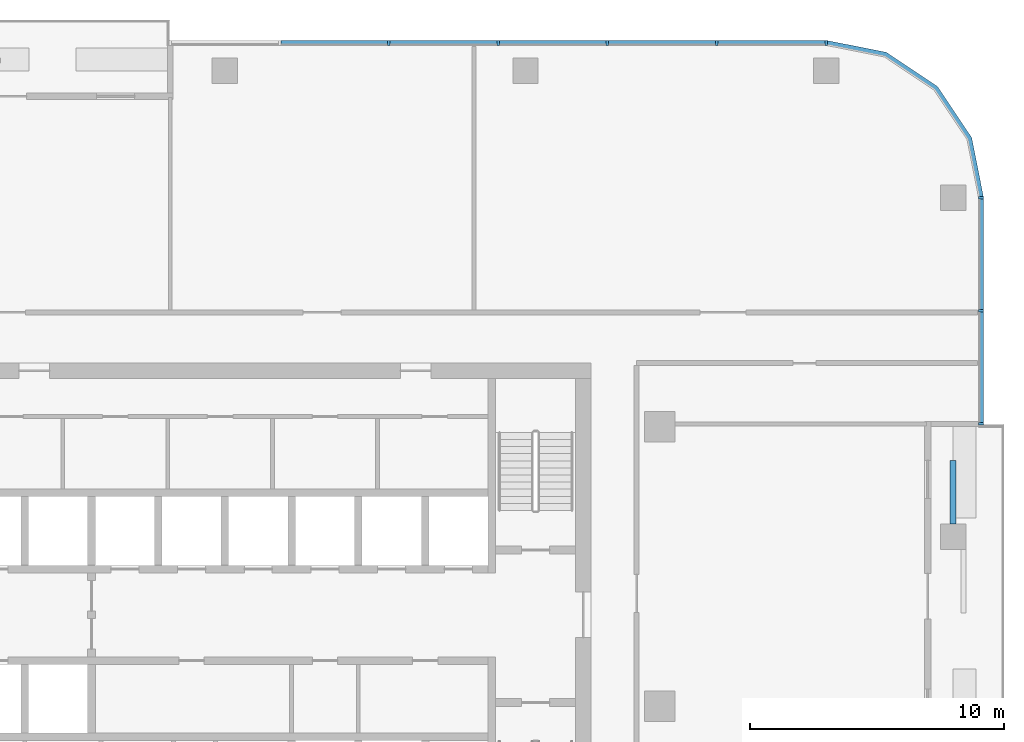
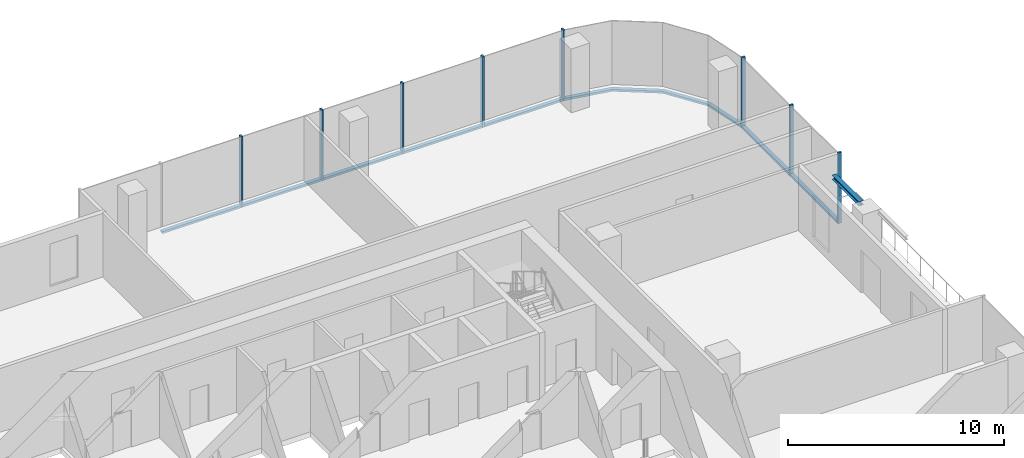
# One storey, part 5 of 13: 16 members, 1 beam, 3 elements without a shape of their own.
"""IFC4 building model written with IfcOpenShell, lengths in metres."""

from ifc_helpers import new_model, si_unit, direction, frame, origin, origin_2d, place, context, subcontext, project, spatial, polyline, rectangle, i_section, outline, extrude, material, material_profile, profile_set, type_object, element, aggregate, save


model = new_model("IFC4")

# Units and contexts
model_context = context("Model", 3, precision=1e-05, world=origin(), true_north=direction((0.0, 1.0)))
body_context = subcontext(model_context, "Body", "Model", "MODEL_VIEW")
ifc_project = project(units=[si_unit("LENGTHUNIT", "METRE"), si_unit("AREAUNIT", "SQUARE_METRE"), si_unit("VOLUMEUNIT", "CUBIC_METRE"), si_unit("PLANEANGLEUNIT", "RADIAN"), si_unit("MASSUNIT", "GRAM", prefix="KILO")], contexts=[model_context])

# Site, building, storey
site_placement = place(None, origin())
site = spatial("IfcSite", under=ifc_project, at=site_placement, CompositionType="ELEMENT")
building_placement = place(site_placement, origin())
building = spatial("IfcBuilding", under=site, at=building_placement, Name="Mopane Tessera Tower", CompositionType="ELEMENT")
storey_placement = place(building_placement, frame((0.0, 0.0, 299.39990234375)))
storey = spatial("IfcBuildingStorey", under=building, at=storey_placement, Name="L65", CompositionType="ELEMENT", Elevation=299.39990234375)

# Curtain wall, members
ifc_material_1 = material(Name="Aluminium frame", Category="aluminium")
curtain_wall_type = type_object("IfcCurtainWallType", Name="Unitised curtain wall", PredefinedType="NOTDEFINED", material=ifc_material_1)
curtain_wall_1_placement = place(storey_placement, origin())
curtain_wall_1 = element("IfcCurtainWall", 1, at=curtain_wall_1_placement, inside=storey, type_object=curtain_wall_type, Name="e:cw:L65:E:7", PredefinedType="NOTDEFINED")
ifc_material_2 = material(Name="Aluminium frame", Category="aluminium")
ifc_material_profile_1 = material_profile(ifc_material_2, rectangle(XDim=0.10009765625, YDim=0.199951171875, at=origin_2d()))
ifc_profile_set_1 = profile_set([ifc_material_profile_1], Name="Aluminium frame")
member_type_1 = type_object("IfcMemberType", Name="Aluminium mullion 100 x 200", PredefinedType="MULLION", material=ifc_profile_set_1)
member_1_placement = place(storey_placement, frame((29.75, 11.111083984375, -0.39990234375), z_axis=(0.0, 0.0, 1.0), x_axis=(0.0, 1.0, 0.0)))
member_1 = element("IfcMember", 2, at=member_1_placement, type_object=member_type_1, Name="e:cw:L65:E:7:mu7", PredefinedType="MULLION", context=body_context, shape_type="SweptSolid", body=[
    extrude(rectangle(XDim=0.10009765625, YDim=0.199951171875, at=origin_2d()), origin(), (0.0, 0.0, 1.0), 4.0),
])
member_2_placement = place(storey_placement, frame((29.75, 15.5556640625, -0.39990234375), z_axis=(0.0, 0.0, 1.0), x_axis=(0.0, 1.0, 0.0)))
member_2 = element("IfcMember", 3, at=member_2_placement, type_object=member_type_1, Name="e:cw:L65:E:7:mu8", PredefinedType="MULLION", context=body_context, shape_type="SweptSolid", body=[
    extrude(rectangle(XDim=0.10009765625, YDim=0.199951171875, at=origin_2d()), origin(), (0.0, 0.0, 1.0), 4.0),
])
member_3_placement = place(storey_placement, frame((29.75, 20.0, -0.39990234375), z_axis=(0.0, 0.0, 1.0), x_axis=(0.0, 1.0, 0.0)))
member_3 = element("IfcMember", 4, at=member_3_placement, type_object=member_type_1, Name="e:cw:L65:E:7:mu9", PredefinedType="MULLION", context=body_context, shape_type="SweptSolid", body=[
    extrude(rectangle(XDim=0.10009765625, YDim=0.199951171875, at=origin_2d()), origin(), (0.0, 0.0, 1.0), 4.0),
])

curtain_wall_2_placement = place(storey_placement, origin())
curtain_wall_2 = element("IfcCurtainWall", 5, at=curtain_wall_2_placement, inside=storey, type_object=curtain_wall_type, Name="e:cw:L65:N:0", PredefinedType="NOTDEFINED")
member_4_placement = place(storey_placement, frame((23.64990234375, 26.10009765625, -0.39990234375), z_axis=(0.0, 0.0, 1.0), x_axis=(-1.0, 0.0, 0.0)))
member_4 = element("IfcMember", 6, at=member_4_placement, type_object=member_type_1, Name="e:cw:L65:N:0:mu0", PredefinedType="MULLION", context=body_context, shape_type="SweptSolid", body=[
    extrude(rectangle(XDim=0.10009765625, YDim=0.199951171875, at=origin_2d()), origin(), (0.0, 0.0, 1.0), 4.0),
])
member_5_placement = place(storey_placement, frame((19.35009765625, 26.10009765625, -0.39990234375), z_axis=(0.0, 0.0, 1.0), x_axis=(-1.0, 0.0, 0.0)))
member_5 = element("IfcMember", 7, at=member_5_placement, type_object=member_type_1, Name="e:cw:L65:N:0:mu1", PredefinedType="MULLION", context=body_context, shape_type="SweptSolid", body=[
    extrude(rectangle(XDim=0.10009765625, YDim=0.199951171875, at=origin_2d()), origin(), (0.0, 0.0, 1.0), 4.0),
])
member_6_placement = place(storey_placement, frame((15.050048828125, 26.10009765625, -0.39990234375), z_axis=(0.0, 0.0, 1.0), x_axis=(-1.0, 0.0, 0.0)))
member_6 = element("IfcMember", 8, at=member_6_placement, type_object=member_type_1, Name="e:cw:L65:N:0:mu2", PredefinedType="MULLION", context=body_context, shape_type="SweptSolid", body=[
    extrude(rectangle(XDim=0.10009765625, YDim=0.199951171875, at=origin_2d()), origin(), (0.0, 0.0, 1.0), 4.0),
])
member_7_placement = place(storey_placement, frame((10.75, 26.10009765625, -0.39990234375), z_axis=(0.0, 0.0, 1.0), x_axis=(-1.0, 0.0, 0.0)))
member_7 = element("IfcMember", 9, at=member_7_placement, type_object=member_type_1, Name="e:cw:L65:N:0:mu3", PredefinedType="MULLION", context=body_context, shape_type="SweptSolid", body=[
    extrude(rectangle(XDim=0.10009765625, YDim=0.199951171875, at=origin_2d()), origin(), (0.0, 0.0, 1.0), 4.0),
])
member_8_placement = place(storey_placement, frame((6.449951171875, 26.10009765625, -0.39990234375), z_axis=(0.0, 0.0, 1.0), x_axis=(-1.0, 0.0, 0.0)))
member_8 = element("IfcMember", 10, at=member_8_placement, type_object=member_type_1, Name="e:cw:L65:N:0:mu4", PredefinedType="MULLION", context=body_context, shape_type="SweptSolid", body=[
    extrude(rectangle(XDim=0.10009765625, YDim=0.199951171875, at=origin_2d()), origin(), (0.0, 0.0, 1.0), 4.0),
])

# Member
ifc_material_3 = material(Name="Aluminium frame", Category="aluminium")
ifc_material_profile_2 = material_profile(ifc_material_3, rectangle(XDim=0.199951171875, YDim=0.1201171875, at=origin_2d()))
ifc_profile_set_2 = profile_set([ifc_material_profile_2], Name="Aluminium frame")
member_type_2 = type_object("IfcMemberType", Name="Aluminium transom 200 x 120", PredefinedType="USERDEFINED", material=ifc_profile_set_2)
member_9_placement = place(storey_placement, frame((29.75, 11.1611328125, -0.33984375), z_axis=(0.0, 1.0, 0.0), x_axis=(-1.0, 0.0, 0.0)))
member_9 = element("IfcMember", 11, at=member_9_placement, type_object=member_type_2, Name="e:cw:L65:E:7:tr7", ObjectType="TRANSOM", PredefinedType="USERDEFINED", context=body_context, shape_type="SweptSolid", body=[
    extrude(rectangle(XDim=0.199951171875, YDim=0.1201171875, at=origin_2d()), origin(), (0.0, 0.0, 1.0), 4.344482421875),
])

member_10_placement = place(storey_placement, frame((29.75, 15.60546875, -0.33984375), z_axis=(0.0, 1.0, 0.0), x_axis=(-1.0, 0.0, 0.0)))
member_10 = element("IfcMember", 12, at=member_10_placement, type_object=member_type_2, Name="e:cw:L65:E:7:tr8", ObjectType="TRANSOM", PredefinedType="USERDEFINED", context=body_context, shape_type="SweptSolid", body=[
    extrude(rectangle(XDim=0.199951171875, YDim=0.1201171875, at=origin_2d()), origin(), (0.0, 0.0, 1.0), 4.344482421875),
])

aggregate(curtain_wall_1, [member_1, member_2, member_3, member_9, member_10])

# Curtain wall, member
curtain_wall_3_placement = place(storey_placement, origin())
curtain_wall_3 = element("IfcCurtainWall", 13, at=curtain_wall_3_placement, inside=storey, type_object=curtain_wall_type, Name="e:cw:L65:CE", PredefinedType="NOTDEFINED")
member_11_placement = place(storey_placement, frame((0.0, 0.0, -0.39990234375)))
member_11 = element("IfcMember", 14, at=member_11_placement, type_object=member_type_2, Name="e:cw:L65:CE:tr", ObjectType="TRANSOM", PredefinedType="USERDEFINED", context=body_context, shape_type="SweptSolid", body=[
    extrude(outline(polyline([(29.64990234375, 20.0), (29.193359375, 22.296142578125), (27.892578125, 24.24267578125), (25.946044921875, 25.543212890625), (23.64990234375, 26.0), (23.64990234375, 26.199951171875), (26.022705078125, 25.72802734375), (28.0341796875, 24.384033203125), (29.378173828125, 22.37255859375), (29.85009765625, 20.0), (29.64990234375, 20.0)])), origin(), (0.0, 0.0, 1.0), 0.1201171875),
])
aggregate(curtain_wall_3, [member_11])

# Member
member_12_placement = place(storey_placement, frame((23.60009765625, 26.10009765625, -0.33984375), z_axis=(-1.0, 0.0, 0.0), x_axis=(0.0, -1.0, 0.0)))
member_12 = element("IfcMember", 15, at=member_12_placement, type_object=member_type_2, Name="e:cw:L65:N:0:tr0", ObjectType="TRANSOM", PredefinedType="USERDEFINED", context=body_context, shape_type="SweptSolid", body=[
    extrude(rectangle(XDim=0.199951171875, YDim=0.1201171875, at=origin_2d()), origin(), (0.0, 0.0, 1.0), 4.2001953125),
])

member_13_placement = place(storey_placement, frame((19.300048828125, 26.10009765625, -0.33984375), z_axis=(-1.0, 0.0, 0.0), x_axis=(0.0, -1.0, 0.0)))
member_13 = element("IfcMember", 16, at=member_13_placement, type_object=member_type_2, Name="e:cw:L65:N:0:tr1", ObjectType="TRANSOM", PredefinedType="USERDEFINED", context=body_context, shape_type="SweptSolid", body=[
    extrude(rectangle(XDim=0.199951171875, YDim=0.1201171875, at=origin_2d()), origin(), (0.0, 0.0, 1.0), 4.199951171875),
])

member_14_placement = place(storey_placement, frame((15.0, 26.10009765625, -0.33984375), z_axis=(-1.0, 0.0, 0.0), x_axis=(0.0, -1.0, 0.0)))
member_14 = element("IfcMember", 17, at=member_14_placement, type_object=member_type_2, Name="e:cw:L65:N:0:tr2", ObjectType="TRANSOM", PredefinedType="USERDEFINED", context=body_context, shape_type="SweptSolid", body=[
    extrude(rectangle(XDim=0.199951171875, YDim=0.1201171875, at=origin_2d()), origin(), (0.0, 0.0, 1.0), 4.199951171875),
])

member_15_placement = place(storey_placement, frame((10.699951171875, 26.10009765625, -0.33984375), z_axis=(-1.0, 0.0, 0.0), x_axis=(0.0, -1.0, 0.0)))
member_15 = element("IfcMember", 18, at=member_15_placement, type_object=member_type_2, Name="e:cw:L65:N:0:tr3", ObjectType="TRANSOM", PredefinedType="USERDEFINED", context=body_context, shape_type="SweptSolid", body=[
    extrude(rectangle(XDim=0.199951171875, YDim=0.1201171875, at=origin_2d()), origin(), (0.0, 0.0, 1.0), 4.199951171875),
])

member_16_placement = place(storey_placement, frame((6.39990234375, 26.10009765625, -0.33984375), z_axis=(-1.0, 0.0, 0.0), x_axis=(0.0, -1.0, 0.0)))
member_16 = element("IfcMember", 19, at=member_16_placement, type_object=member_type_2, Name="e:cw:L65:N:0:tr4", ObjectType="TRANSOM", PredefinedType="USERDEFINED", context=body_context, shape_type="SweptSolid", body=[
    extrude(rectangle(XDim=0.199951171875, YDim=0.1201171875, at=origin_2d()), origin(), (0.0, 0.0, 1.0), 4.199951171875),
])

aggregate(curtain_wall_2, [member_4, member_5, member_6, member_7, member_8, member_12, member_13, member_14, member_15, member_16])

# Beam
ifc_material_4 = material(Name="Structural steel S460", Category="steel")
ifc_material_profile_3 = material_profile(ifc_material_4, i_section(OverallWidth=0.239990234375, OverallDepth=0.239990234375, WebThickness=0.010009765625, FlangeThickness=0.01708984375, FilletRadius=0.02099609375, at=origin_2d()))
ifc_profile_set_3 = profile_set([ifc_material_profile_3], Name="Structural steel S460")
beam_type = type_object("IfcBeamType", Name="Terrace spandrel beam HE 240 B", PredefinedType="SPANDREL", material=ifc_profile_set_3)
beam_placement = place(storey_placement, frame((28.64990234375, 7.169677734375, 3.47998046875), z_axis=(0.0, 1.0, 0.0), x_axis=(-1.0, 0.0, 0.0)))
element("IfcBeam", 20, at=beam_placement, inside=storey, type_object=beam_type, Name="Terrace spandrel beam N1 L66", PredefinedType="SPANDREL", context=body_context, shape_type="SweptSolid", body=[
    extrude(i_section(OverallWidth=0.239990234375, OverallDepth=0.239990234375, WebThickness=0.010009765625, FlangeThickness=0.01708984375, FilletRadius=0.02099609375, at=origin_2d()), origin(), (0.0, 0.0, 1.0), 2.5),
])

save(model, "model.ifc")
